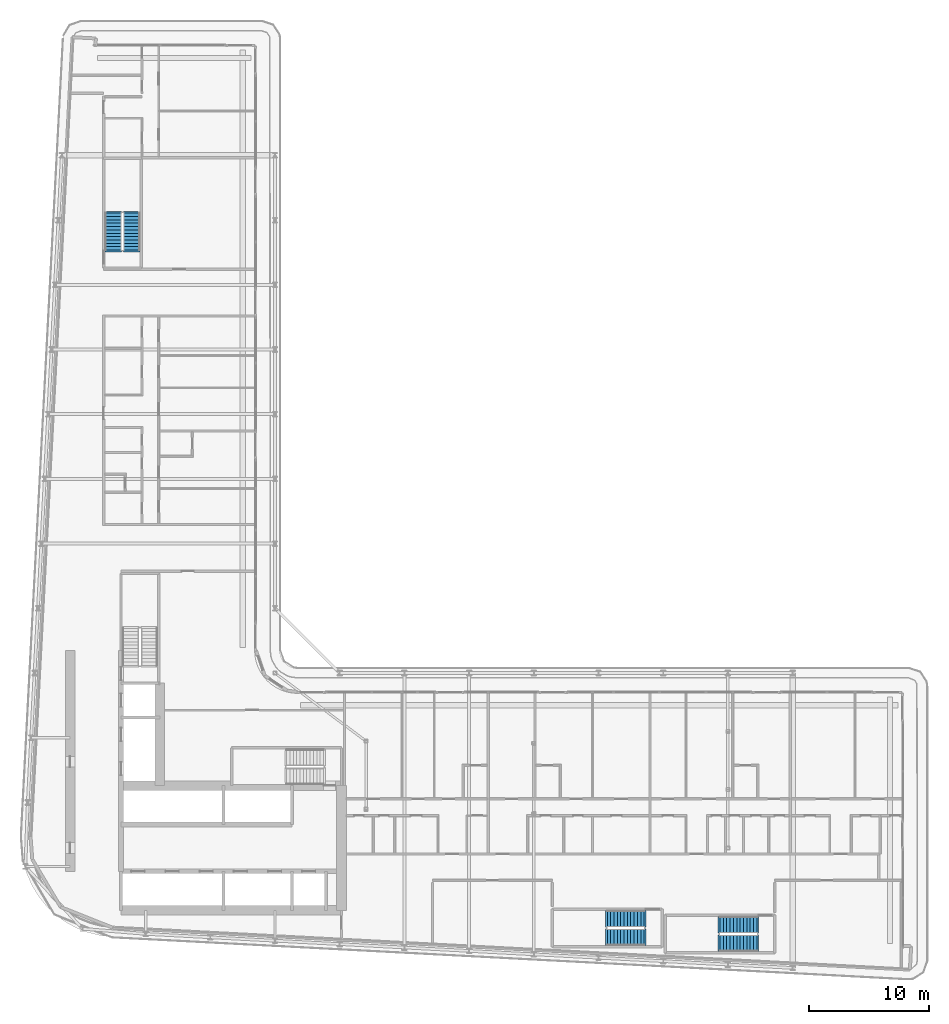
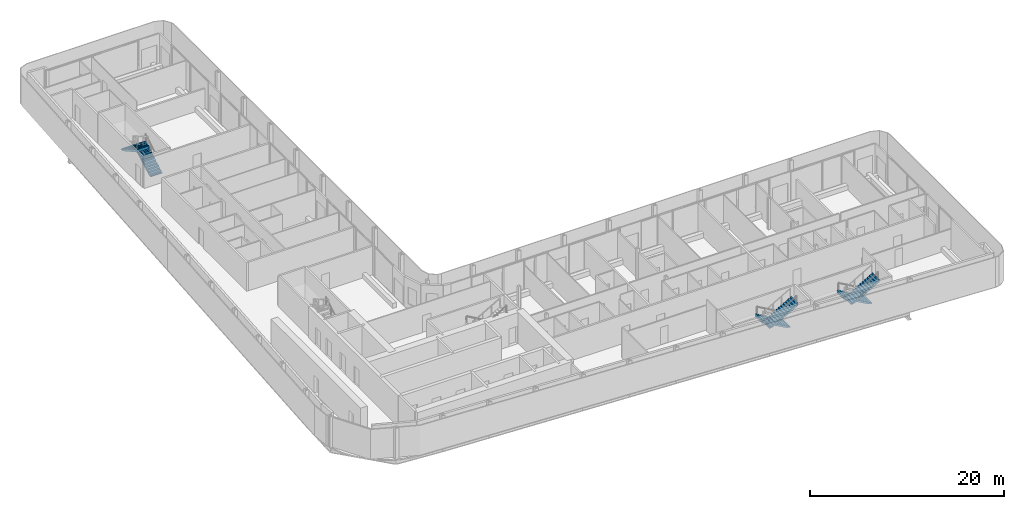
# One storey, part 21 of 28: 6 stair flights, 3 elements without a shape of their own.
"""IFC4 building model written with IfcOpenShell, lengths in metres."""

from ifc_helpers import new_model, si_unit, direction, frame, origin, place, context, subcontext, project, spatial, polyline, outline, extrude, material, layer, layer_set, type_object, element, aggregate, save


model = new_model("IFC4")

# Units and contexts
model_context = context("Model", 3, precision=1e-05, world=origin(), true_north=direction((0.0, 1.0)))
body_context = subcontext(model_context, "Body", "Model", "MODEL_VIEW")
ifc_project = project(units=[si_unit("LENGTHUNIT", "METRE"), si_unit("AREAUNIT", "SQUARE_METRE"), si_unit("VOLUMEUNIT", "CUBIC_METRE"), si_unit("PLANEANGLEUNIT", "RADIAN"), si_unit("MASSUNIT", "GRAM", prefix="KILO")], contexts=[model_context])

# Site, building, storey
site_placement = place(None, origin())
site = spatial("IfcSite", under=ifc_project, at=site_placement, CompositionType="ELEMENT")
building_placement = place(site_placement, origin())
building = spatial("IfcBuilding", under=site, at=building_placement, Name="Kheshtan School and Residences Tower", CompositionType="ELEMENT")
storey_placement = place(building_placement, frame((0.0, 0.0, 187.699951171875)))
storey = spatial("IfcBuildingStorey", under=building, at=storey_placement, Name="L44", CompositionType="ELEMENT", Elevation=187.699951171875)

# Stair, stair flights
ifc_material = material(Name="Concrete C40/50", Category="concrete")
stair_type = type_object("IfcStairType", Name="Exit stair, half-turn", PredefinedType="HALF_TURN_STAIR", material=ifc_material)
stair_1_placement = place(storey_placement, origin())
stair_1 = element("IfcStair", 1, at=stair_1_placement, inside=storey, type_object=stair_type, Name="L44 Protected Exit Stair ST3", PredefinedType="HALF_TURN_STAIR")
ifc_layer = layer(ifc_material, 0.14990234375)
ifc_layer_set = layer_set([ifc_layer], Name="Stair flight 1400 Concrete C40/50")
stair_flight_type = type_object("IfcStairFlightType", Name="Stair flight 1400 Concrete C40/50", PredefinedType="STRAIGHT", material=ifc_layer_set)
stair_flight_1_placement = place(storey_placement, frame((35.64990234375, 80.89990234375, 0.0), z_axis=(0.0, 0.0, 1.0), x_axis=(0.0, 1.0, 0.0)))
stair_flight_1 = element("IfcStairFlight", 2, at=stair_flight_1_placement, type_object=stair_flight_type, Name="ST3 flight 1", NumberOfRisers=12, NumberOfTreads=11, PredefinedType="STRAIGHT", RiserHeight=0.1625, TreadLength=0.28, context=body_context, shape_type="SweptSolid", body=[
    extrude(outline(polyline([(-0.14990234375, -0.10009765625), (-0.14990234375, 0.0), (0.0, 0.0), (0.0, 0.16259765625), (0.280029296875, 0.16259765625), (0.280029296875, 0.324951171875), (0.56005859375, 0.324951171875), (0.56005859375, 0.487548828125), (0.840087890625, 0.487548828125), (0.840087890625, 0.64990234375), (1.1201171875, 0.64990234375), (1.1201171875, 0.8125), (1.39990234375, 0.8125), (1.39990234375, 0.97509765625), (1.679931640625, 0.97509765625), (1.679931640625, 1.137451171875), (1.9599609375, 1.137451171875), (1.9599609375, 1.300048828125), (2.239990234375, 1.300048828125), (2.239990234375, 1.46240234375), (2.52001953125, 1.46240234375), (2.52001953125, 1.625), (2.800048828125, 1.625), (2.800048828125, 1.78759765625), (3.080078125, 1.78759765625), (3.080078125, 1.949951171875), (3.080078125, 1.969970703125), (3.22998046875, 1.969970703125), (3.22998046875, 1.6142578125), (0.298583984375, 0.0), (-0.14990234375, -0.10009765625)])), frame((0.0, 0.699951171875, 0.0), z_axis=(0.0, -1.0, 0.0), x_axis=(1.0, 0.0, 0.0)), (0.0, 0.0, 1.0), 1.39990234375),
])
stair_flight_2_placement = place(storey_placement, frame((34.10009765625, 83.97998046875, 1.949951171875), z_axis=(0.0, 0.0, 1.0), x_axis=(0.0, -1.0, 0.0)))
stair_flight_2 = element("IfcStairFlight", 3, at=stair_flight_2_placement, type_object=stair_flight_type, Name="ST3 flight 2", NumberOfRisers=12, NumberOfTreads=11, PredefinedType="STRAIGHT", RiserHeight=0.1625, TreadLength=0.28, context=body_context, shape_type="SweptSolid", body=[
    extrude(outline(polyline([(-0.14990234375, -0.10009765625), (-0.14990234375, 0.0), (0.0, 0.0), (0.0, 0.16259765625), (0.280029296875, 0.16259765625), (0.280029296875, 0.324951171875), (0.56005859375, 0.324951171875), (0.56005859375, 0.487548828125), (0.840087890625, 0.487548828125), (0.840087890625, 0.64990234375), (1.1201171875, 0.64990234375), (1.1201171875, 0.8125), (1.39990234375, 0.8125), (1.39990234375, 0.97509765625), (1.679931640625, 0.97509765625), (1.679931640625, 1.137451171875), (1.9599609375, 1.137451171875), (1.9599609375, 1.300048828125), (2.239990234375, 1.300048828125), (2.239990234375, 1.46240234375), (2.52001953125, 1.46240234375), (2.52001953125, 1.625), (2.800048828125, 1.625), (2.800048828125, 1.78759765625), (3.080078125, 1.78759765625), (3.080078125, 1.949951171875), (3.080078125, 1.969970703125), (3.22998046875, 1.969970703125), (3.22998046875, 1.6142578125), (0.298583984375, 0.0), (-0.14990234375, -0.10009765625)])), frame((0.0, 0.699951171875, 0.0), z_axis=(0.0, -1.0, 0.0), x_axis=(1.0, 0.0, 0.0)), (0.0, 0.0, 1.0), 1.39990234375),
])
aggregate(stair_1, [stair_flight_1, stair_flight_2])

stair_2_placement = place(storey_placement, origin())
stair_2 = element("IfcStair", 4, at=stair_2_placement, inside=storey, type_object=stair_type, Name="L44 Protected Exit Stair ST4", PredefinedType="HALF_TURN_STAIR")
stair_flight_3_placement = place(storey_placement, frame((87.820068359375, 24.60009765625, 0.0), z_axis=(0.0, 0.0, 1.0), x_axis=(-1.0, 0.0, 0.0)))
stair_flight_3 = element("IfcStairFlight", 5, at=stair_flight_3_placement, type_object=stair_flight_type, Name="ST4 flight 1", NumberOfRisers=12, NumberOfTreads=11, PredefinedType="STRAIGHT", RiserHeight=0.1625, TreadLength=0.28, context=body_context, shape_type="SweptSolid", body=[
    extrude(outline(polyline([(-0.14990234375, -0.10009765625), (-0.14990234375, 0.0), (0.0, 0.0), (0.0, 0.16259765625), (0.280029296875, 0.16259765625), (0.280029296875, 0.324951171875), (0.56005859375, 0.324951171875), (0.56005859375, 0.487548828125), (0.840087890625, 0.487548828125), (0.840087890625, 0.64990234375), (1.1201171875, 0.64990234375), (1.1201171875, 0.8125), (1.39990234375, 0.8125), (1.39990234375, 0.97509765625), (1.679931640625, 0.97509765625), (1.679931640625, 1.137451171875), (1.9599609375, 1.137451171875), (1.9599609375, 1.300048828125), (2.239990234375, 1.300048828125), (2.239990234375, 1.46240234375), (2.52001953125, 1.46240234375), (2.52001953125, 1.625), (2.800048828125, 1.625), (2.800048828125, 1.78759765625), (3.080078125, 1.78759765625), (3.080078125, 1.949951171875), (3.080078125, 1.969970703125), (3.22998046875, 1.969970703125), (3.22998046875, 1.6142578125), (0.298583984375, 0.0), (-0.14990234375, -0.10009765625)])), frame((0.0, 0.699951171875, 0.0), z_axis=(0.0, -1.0, 0.0), x_axis=(1.0, 0.0, 0.0)), (0.0, 0.0, 1.0), 1.39990234375),
])
stair_flight_4_placement = place(storey_placement, frame((84.739990234375, 23.050048828125, 1.949951171875), z_axis=(0.0, 0.0, 1.0), x_axis=(1.0, 0.0, 0.0)))
stair_flight_4 = element("IfcStairFlight", 6, at=stair_flight_4_placement, type_object=stair_flight_type, Name="ST4 flight 2", NumberOfRisers=12, NumberOfTreads=11, PredefinedType="STRAIGHT", RiserHeight=0.1625, TreadLength=0.28, context=body_context, shape_type="SweptSolid", body=[
    extrude(outline(polyline([(-0.14990234375, -0.10009765625), (-0.14990234375, 0.0), (0.0, 0.0), (0.0, 0.16259765625), (0.280029296875, 0.16259765625), (0.280029296875, 0.324951171875), (0.56005859375, 0.324951171875), (0.56005859375, 0.487548828125), (0.840087890625, 0.487548828125), (0.840087890625, 0.64990234375), (1.1201171875, 0.64990234375), (1.1201171875, 0.8125), (1.39990234375, 0.8125), (1.39990234375, 0.97509765625), (1.679931640625, 0.97509765625), (1.679931640625, 1.137451171875), (1.9599609375, 1.137451171875), (1.9599609375, 1.300048828125), (2.239990234375, 1.300048828125), (2.239990234375, 1.46240234375), (2.52001953125, 1.46240234375), (2.52001953125, 1.625), (2.800048828125, 1.625), (2.800048828125, 1.78759765625), (3.080078125, 1.78759765625), (3.080078125, 1.949951171875), (3.080078125, 1.969970703125), (3.22998046875, 1.969970703125), (3.22998046875, 1.6142578125), (0.298583984375, 0.0), (-0.14990234375, -0.10009765625)])), frame((0.0, 0.699951171875, 0.0), z_axis=(0.0, -1.0, 0.0), x_axis=(1.0, 0.0, 0.0)), (0.0, 0.0, 1.0), 1.39990234375),
])
aggregate(stair_2, [stair_flight_3, stair_flight_4])

stair_3_placement = place(storey_placement, origin())
stair_3 = element("IfcStair", 7, at=stair_3_placement, inside=storey, type_object=stair_type, Name="L44 Protected Exit Stair ST5", PredefinedType="HALF_TURN_STAIR")
stair_flight_5_placement = place(storey_placement, frame((78.409912109375, 25.10009765625, 0.0), z_axis=(0.0, 0.0, 1.0), x_axis=(-1.0, 0.0, 0.0)))
stair_flight_5 = element("IfcStairFlight", 8, at=stair_flight_5_placement, type_object=stair_flight_type, Name="ST5 flight 1", NumberOfRisers=12, NumberOfTreads=11, PredefinedType="STRAIGHT", RiserHeight=0.1625, TreadLength=0.28, context=body_context, shape_type="SweptSolid", body=[
    extrude(outline(polyline([(-0.14990234375, -0.10009765625), (-0.14990234375, 0.0), (0.0, 0.0), (0.0, 0.16259765625), (0.280029296875, 0.16259765625), (0.280029296875, 0.324951171875), (0.56005859375, 0.324951171875), (0.56005859375, 0.487548828125), (0.840087890625, 0.487548828125), (0.840087890625, 0.64990234375), (1.1201171875, 0.64990234375), (1.1201171875, 0.8125), (1.39990234375, 0.8125), (1.39990234375, 0.97509765625), (1.679931640625, 0.97509765625), (1.679931640625, 1.137451171875), (1.9599609375, 1.137451171875), (1.9599609375, 1.300048828125), (2.239990234375, 1.300048828125), (2.239990234375, 1.46240234375), (2.52001953125, 1.46240234375), (2.52001953125, 1.625), (2.800048828125, 1.625), (2.800048828125, 1.78759765625), (3.080078125, 1.78759765625), (3.080078125, 1.949951171875), (3.080078125, 1.969970703125), (3.22998046875, 1.969970703125), (3.22998046875, 1.6142578125), (0.298583984375, 0.0), (-0.14990234375, -0.10009765625)])), frame((0.0, 0.699951171875, 0.0), z_axis=(0.0, -1.0, 0.0), x_axis=(1.0, 0.0, 0.0)), (0.0, 0.0, 1.0), 1.39990234375),
])
stair_flight_6_placement = place(storey_placement, frame((75.330078125, 23.550048828125, 1.949951171875), z_axis=(0.0, 0.0, 1.0), x_axis=(1.0, 0.0, 0.0)))
stair_flight_6 = element("IfcStairFlight", 9, at=stair_flight_6_placement, type_object=stair_flight_type, Name="ST5 flight 2", NumberOfRisers=12, NumberOfTreads=11, PredefinedType="STRAIGHT", RiserHeight=0.1625, TreadLength=0.28, context=body_context, shape_type="SweptSolid", body=[
    extrude(outline(polyline([(-0.14990234375, -0.10009765625), (-0.14990234375, 0.0), (0.0, 0.0), (0.0, 0.16259765625), (0.280029296875, 0.16259765625), (0.280029296875, 0.324951171875), (0.56005859375, 0.324951171875), (0.56005859375, 0.487548828125), (0.840087890625, 0.487548828125), (0.840087890625, 0.64990234375), (1.1201171875, 0.64990234375), (1.1201171875, 0.8125), (1.39990234375, 0.8125), (1.39990234375, 0.97509765625), (1.679931640625, 0.97509765625), (1.679931640625, 1.137451171875), (1.9599609375, 1.137451171875), (1.9599609375, 1.300048828125), (2.239990234375, 1.300048828125), (2.239990234375, 1.46240234375), (2.52001953125, 1.46240234375), (2.52001953125, 1.625), (2.800048828125, 1.625), (2.800048828125, 1.78759765625), (3.080078125, 1.78759765625), (3.080078125, 1.949951171875), (3.080078125, 1.969970703125), (3.22998046875, 1.969970703125), (3.22998046875, 1.6142578125), (0.298583984375, 0.0), (-0.14990234375, -0.10009765625)])), frame((0.0, 0.699951171875, 0.0), z_axis=(0.0, -1.0, 0.0), x_axis=(1.0, 0.0, 0.0)), (0.0, 0.0, 1.0), 1.39990234375),
])
aggregate(stair_3, [stair_flight_5, stair_flight_6])

save(model, "model.ifc")
